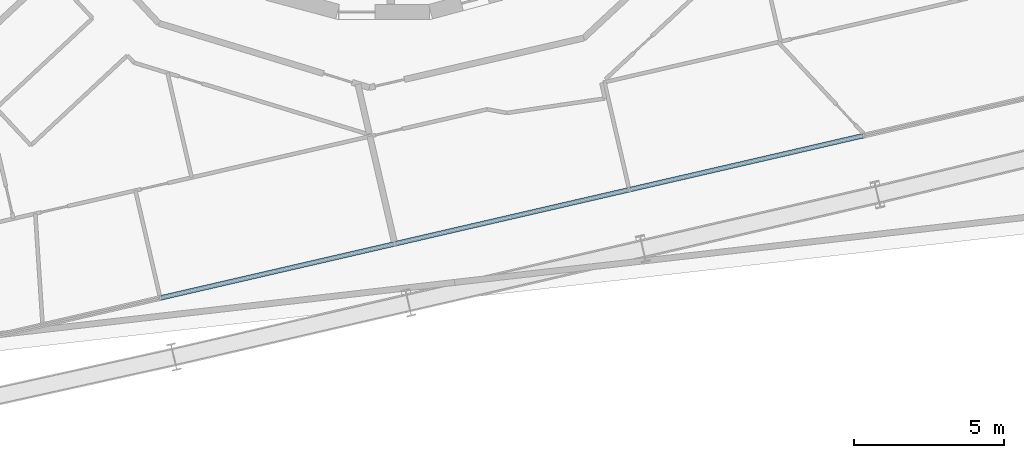
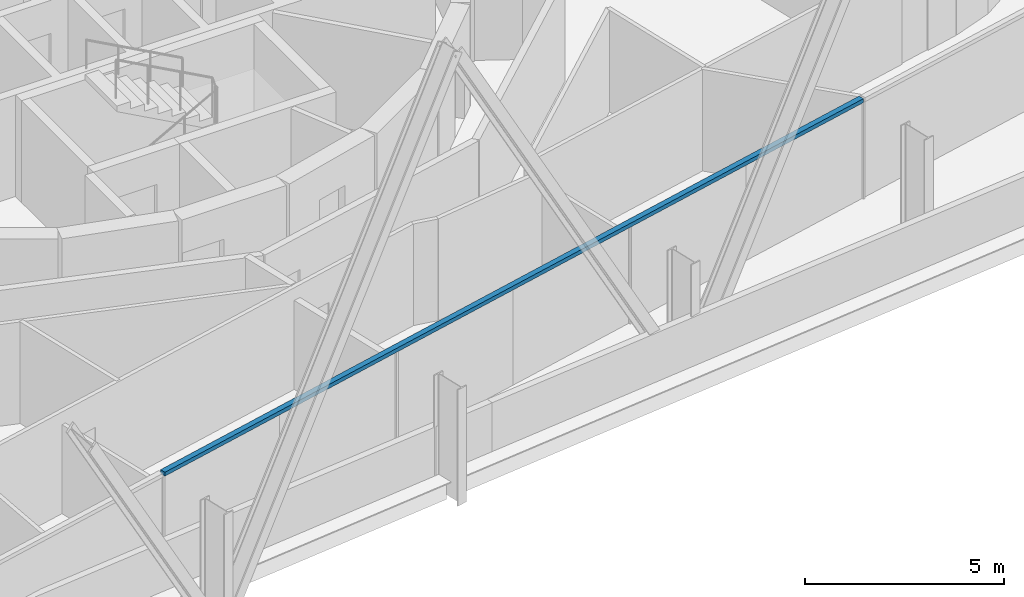
# One storey, part 4 of 18: 1 member, 1 element without a shape of its own.
"""IFC4 building model written with IfcOpenShell, lengths in metres."""

from ifc_helpers import new_model, si_unit, direction, frame, origin, origin_2d, place, context, subcontext, project, spatial, rectangle, extrude, material, layer, layer_set, material_profile, profile_set, type_object, element, aggregate, save


model = new_model("IFC4")

# Units and contexts
model_context = context("Model", 3, precision=1e-05, world=origin(), true_north=direction((0.0, 1.0)))
body_context = subcontext(model_context, "Body", "Model", "MODEL_VIEW")
ifc_project = project(units=[si_unit("LENGTHUNIT", "METRE"), si_unit("AREAUNIT", "SQUARE_METRE"), si_unit("VOLUMEUNIT", "CUBIC_METRE"), si_unit("PLANEANGLEUNIT", "RADIAN"), si_unit("MASSUNIT", "GRAM", prefix="KILO")], contexts=[model_context])

# Site, building, storey
site_placement = place(None, origin())
site = spatial("IfcSite", under=ifc_project, at=site_placement, CompositionType="ELEMENT")
building_placement = place(site_placement, origin())
building = spatial("IfcBuilding", under=site, at=building_placement, Name="Spindle Arch Residences", CompositionType="ELEMENT")
storey_placement = place(building_placement, frame((0.0, 0.0, 113.39990234375)))
storey = spatial("IfcBuildingStorey", under=building, at=storey_placement, Name="L27", CompositionType="ELEMENT", Elevation=113.39990234375)

# Curtain wall, member
ifc_material_1 = material(Name="Aluminium bronze unitised frame with tinted glass", Category="aluminium")
ifc_layer = layer(ifc_material_1, 0.159912109375)
ifc_layer_set = layer_set([ifc_layer], Name="CW-C typical residential unitised wall")
curtain_wall_type = type_object("IfcCurtainWallType", Name="CW-C typical residential unitised wall", PredefinedType="NOTDEFINED", material=ifc_layer_set)
curtain_wall_placement = place(storey_placement, origin())
curtain_wall = element("IfcCurtainWall", 1, at=curtain_wall_placement, inside=storey, type_object=curtain_wall_type, Name="CW-C L27 run 6", PredefinedType="NOTDEFINED")
ifc_material_2 = material(Name="Aluminium bronze anodised transom", Category="aluminium")
ifc_material_profile = material_profile(ifc_material_2, rectangle(XDim=0.159912109375, YDim=0.1201171875, at=origin_2d()), Name="TR 120x160")
ifc_profile_set = profile_set([ifc_material_profile], Name="Aluminium bronze anodised transom")
member_type = type_object("IfcMemberType", Name="Bronze transom 120x160", PredefinedType="USERDEFINED", material=ifc_profile_set)
member_placement = place(storey_placement, frame((-7.438232421875, -21.187255859375, 3.06005859375), z_axis=(0.974369784879, 0.224952266747, 0.0), x_axis=(-0.224952266747, 0.974369784879, 0.0)))
member = element("IfcMember", 2, at=member_placement, type_object=member_type, Name="CW-C transom 00", ObjectType="TRANSOM", PredefinedType="USERDEFINED", context=body_context, shape_type="SweptSolid", body=[
    extrude(rectangle(XDim=0.159912109375, YDim=0.1201171875, at=origin_2d()), origin(), (0.0, 0.0, 1.0), 24.02734375),
])
aggregate(curtain_wall, [member])

save(model, "model.ifc")
